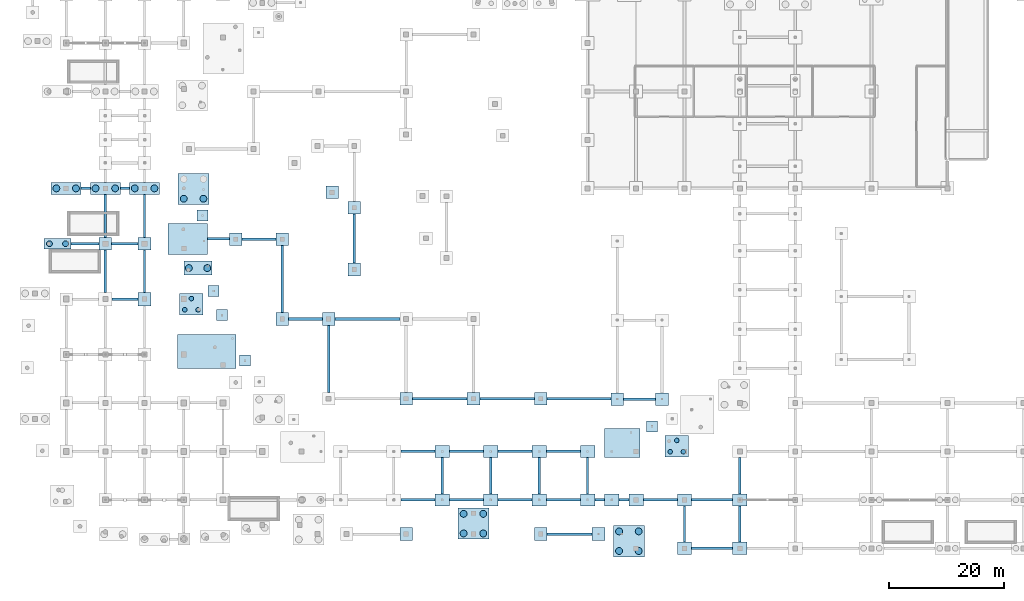
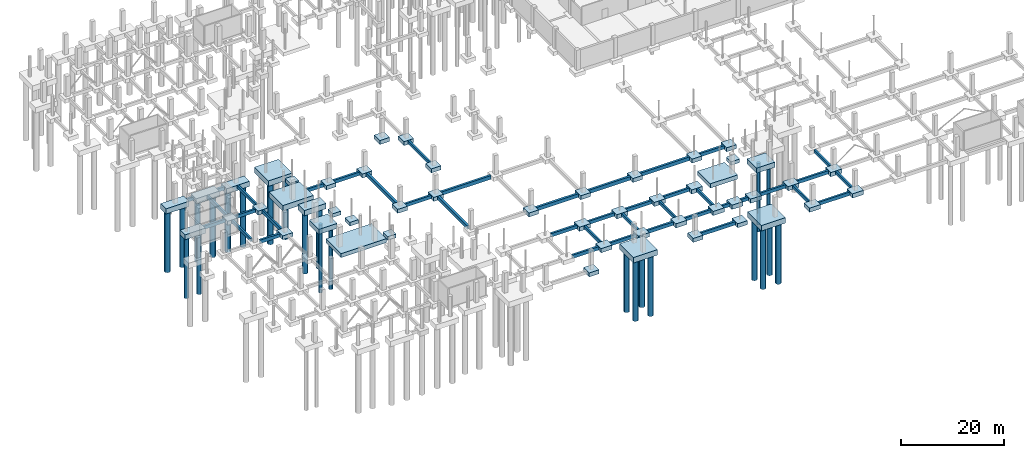
# One storey, part 2 of 44: 91 footings, 26 piles.
"""IFC4 building model written with IfcOpenShell, lengths in metres."""

from ifc_helpers import new_model, si_unit, direction, frame, origin, origin_2d, place, context, subcontext, project, spatial, rectangle, circle, extrude, material, material_profile, profile_set, type_object, element, save


model = new_model("IFC4")

# Units and contexts
model_context = context("Model", 3, precision=1e-05, world=origin(), true_north=direction((0.0, 1.0)))
body_context = subcontext(model_context, "Body", "Model", "MODEL_VIEW")
ifc_project = project(units=[si_unit("LENGTHUNIT", "METRE"), si_unit("AREAUNIT", "SQUARE_METRE"), si_unit("VOLUMEUNIT", "CUBIC_METRE"), si_unit("PLANEANGLEUNIT", "RADIAN"), si_unit("MASSUNIT", "GRAM", prefix="KILO")], contexts=[model_context])

# Site, building, storey
site_placement = place(None, origin())
site = spatial("IfcSite", under=ifc_project, at=site_placement, CompositionType="ELEMENT")
building_placement = place(site_placement, origin())
building = spatial("IfcBuilding", under=site, at=building_placement, Name="Kisaragi Civic Commons", CompositionType="ELEMENT")
storey_placement = place(building_placement, frame((0.0, 0.0, -4.800048828125)))
storey = spatial("IfcBuildingStorey", under=building, at=storey_placement, Name="B1", CompositionType="ELEMENT", Elevation=-4.800048828125)

# Footings
ifc_material_1 = material(Name="Concrete Fc27", Category="concrete")
ifc_material_profile_1 = material_profile(ifc_material_1, rectangle(XDim=0.5, YDim=0.85009765625, at=origin_2d()), Name="RC-500x850", Category="concrete")
ifc_profile_set_1 = profile_set([ifc_material_profile_1], Name="Concrete Fc27")
footing_type_1 = type_object("IfcFootingType", Name="FB-01", PredefinedType="FOOTING_BEAM", material=ifc_profile_set_1)
for number, where, z_axis, x_axis, name in (
    (1, (66.83642578125, 25.926025390625, -0.425048828125), (1.0, 0.0, 0.0), (0.0, 1.0, 0.0), "Foundation tie beam FB-01 X49"),
    (2, (78.510009765625, 25.926025390625, -0.425048828125), (1.0, 0.0, 0.0), (0.0, 1.0, 0.0), "Foundation tie beam FB-01 X50"),
):
    element("IfcFooting", number, at=place(storey_placement, frame(where, z_axis=z_axis, x_axis=x_axis)), inside=storey, type_object=footing_type_1, Name=name, PredefinedType="FOOTING_BEAM", context=body_context, shape_type="SweptSolid", body=[
        extrude(rectangle(XDim=0.5, YDim=0.85009765625, at=origin_2d()), origin(), (0.0, 0.0, 1.0), 9.4736328125),
    ])
footing_1_placement = place(storey_placement, frame((90.18359375, 25.926025390625, -0.425048828125), z_axis=(1.0, 0.0, 0.0), x_axis=(0.0, 1.0, 0.0)))
element("IfcFooting", 3, at=footing_1_placement, inside=storey, type_object=footing_type_1, Name="Foundation tie beam FB-01 X51", PredefinedType="FOOTING_BEAM", context=body_context, shape_type="SweptSolid", body=[
    extrude(rectangle(XDim=0.5, YDim=0.85009765625, at=origin_2d()), origin(), (0.0, 0.0, 1.0), 11.056884765625),
])
footing_2_placement = place(storey_placement, frame((53.4169921875, 39.75, -0.425048828125), z_axis=(1.0, 0.0, 0.0), x_axis=(0.0, 1.0, 0.0)))
element("IfcFooting", 4, at=footing_2_placement, inside=storey, type_object=footing_type_1, Name="Foundation tie beam FB-01 X60", PredefinedType="FOOTING_BEAM", context=body_context, shape_type="SweptSolid", body=[
    extrude(rectangle(XDim=0.5, YDim=0.85009765625, at=origin_2d()), origin(), (0.0, 0.0, 1.0), 11.219482421875),
])
for number, where, z_axis, x_axis, name in (
    (5, (44.25830078125, 40.85009765625, -0.425048828125), (0.0, 1.0, 0.0), (-1.0, 0.0, 0.0), "Foundation tie beam FB-01 Y207"),
    (6, (52.31689453125, 27.02587890625, -0.425048828125), (0.0, 1.0, 0.0), (-1.0, 0.0, 0.0), "Foundation tie beam FB-01 Y210"),
):
    element("IfcFooting", number, at=place(storey_placement, frame(where, z_axis=z_axis, x_axis=x_axis)), inside=storey, type_object=footing_type_1, Name=name, PredefinedType="FOOTING_BEAM", context=body_context, shape_type="SweptSolid", body=[
        extrude(rectangle(XDim=0.5, YDim=0.85009765625, at=origin_2d()), origin(), (0.0, 0.0, 1.0), 11.6240234375),
    ])
ifc_material_profile_2 = material_profile(ifc_material_1, rectangle(XDim=0.449951171875, YDim=0.800048828125, at=origin_2d()), Name="RC-450x800", Category="concrete")
ifc_profile_set_2 = profile_set([ifc_material_profile_2], Name="Concrete Fc27")
footing_type_2 = type_object("IfcFootingType", Name="FB-02", PredefinedType="FOOTING_BEAM", material=ifc_profile_set_2)
footing_3_placement = place(storey_placement, frame((115.25, 0.0, -0.39990234375), z_axis=(1.0, 0.0, 0.0), x_axis=(0.0, 1.0, 0.0)))
element("IfcFooting", 7, at=footing_3_placement, inside=storey, type_object=footing_type_2, Name="Foundation tie beam FB-02 X1", PredefinedType="FOOTING_BEAM", context=body_context, shape_type="SweptSolid", body=[
    extrude(rectangle(XDim=0.449951171875, YDim=0.800048828125, at=origin_2d()), origin(), (0.0, 0.0, 1.0), 7.10009765625),
])
footing_4_placement = place(storey_placement, frame((90.18359375, 2.467041015625, -0.39990234375), z_axis=(1.0, 0.0, 0.0), x_axis=(0.0, 1.0, 0.0)))
element("IfcFooting", 8, at=footing_4_placement, inside=storey, type_object=footing_type_2, Name="Foundation tie beam FB-02 X8", PredefinedType="FOOTING_BEAM", context=body_context, shape_type="SweptSolid", body=[
    extrude(rectangle(XDim=0.449951171875, YDim=0.800048828125, at=origin_2d()), origin(), (0.0, 0.0, 1.0), 7.81689453125),
])
for number, where, z_axis, x_axis, name in (
    (9, (64.85009765625, 8.39990234375, -0.39990234375), (1.0, 0.0, 0.0), (0.0, 1.0, 0.0), "Foundation tie beam FB-02 X15"),
    (10, (73.25, 8.39990234375, -0.39990234375), (1.0, 0.0, 0.0), (0.0, 1.0, 0.0), "Foundation tie beam FB-02 X16"),
):
    element("IfcFooting", number, at=place(storey_placement, frame(where, z_axis=z_axis, x_axis=x_axis)), inside=storey, type_object=footing_type_2, Name=name, PredefinedType="FOOTING_BEAM", context=body_context, shape_type="SweptSolid", body=[
        extrude(rectangle(XDim=0.449951171875, YDim=0.800048828125, at=origin_2d()), origin(), (0.0, 0.0, 1.0), 5.89990234375),
    ])
footing_5_placement = place(storey_placement, frame((81.64990234375, 8.39990234375, -0.39990234375), z_axis=(1.0, 0.0, 0.0), x_axis=(0.0, 1.0, 0.0)))
element("IfcFooting", 11, at=footing_5_placement, inside=storey, type_object=footing_type_2, Name="Foundation tie beam FB-02 X17", PredefinedType="FOOTING_BEAM", context=body_context, shape_type="SweptSolid", body=[
    extrude(rectangle(XDim=0.449951171875, YDim=0.800048828125, at=origin_2d()), origin(), (0.0, 0.0, 1.0), 5.900146484375),
])
footing_6_placement = place(storey_placement, frame((90.050048828125, 8.39990234375, -0.39990234375), z_axis=(1.0, 0.0, 0.0), x_axis=(0.0, 1.0, 0.0)))
element("IfcFooting", 12, at=footing_6_placement, inside=storey, type_object=footing_type_2, Name="Foundation tie beam FB-02 X18", PredefinedType="FOOTING_BEAM", context=body_context, shape_type="SweptSolid", body=[
    extrude(rectangle(XDim=0.449951171875, YDim=0.800048828125, at=origin_2d()), origin(), (0.0, 0.0, 1.0), 5.89990234375),
])
footing_7_placement = place(storey_placement, frame((98.449951171875, 8.39990234375, -0.39990234375), z_axis=(1.0, 0.0, 0.0), x_axis=(0.0, 1.0, 0.0)))
element("IfcFooting", 13, at=footing_7_placement, inside=storey, type_object=footing_type_2, Name="Foundation tie beam FB-02 X19", PredefinedType="FOOTING_BEAM", context=body_context, shape_type="SweptSolid", body=[
    extrude(rectangle(XDim=0.449951171875, YDim=0.800048828125, at=origin_2d()), origin(), (0.0, 0.0, 1.0), 1.699951171875),
])
footing_8_placement = place(storey_placement, frame((102.64990234375, 8.39990234375, -0.39990234375), z_axis=(1.0, 0.0, 0.0), x_axis=(0.0, 1.0, 0.0)))
element("IfcFooting", 14, at=footing_8_placement, inside=storey, type_object=footing_type_2, Name="Foundation tie beam FB-02 X20", PredefinedType="FOOTING_BEAM", context=body_context, shape_type="SweptSolid", body=[
    extrude(rectangle(XDim=0.449951171875, YDim=0.800048828125, at=origin_2d()), origin(), (0.0, 0.0, 1.0), 1.7001953125),
])
footing_9_placement = place(storey_placement, frame((106.85009765625, 8.39990234375, -0.39990234375), z_axis=(1.0, 0.0, 0.0), x_axis=(0.0, 1.0, 0.0)))
element("IfcFooting", 15, at=footing_9_placement, inside=storey, type_object=footing_type_2, Name="Foundation tie beam FB-02 X21", PredefinedType="FOOTING_BEAM", context=body_context, shape_type="SweptSolid", body=[
    extrude(rectangle(XDim=0.449951171875, YDim=0.800048828125, at=origin_2d()), origin(), (0.0, 0.0, 1.0), 5.89990234375),
])
footing_10_placement = place(storey_placement, frame((115.25, 8.39990234375, -0.39990234375), z_axis=(1.0, 0.0, 0.0), x_axis=(0.0, 1.0, 0.0)))
element("IfcFooting", 16, at=footing_10_placement, inside=storey, type_object=footing_type_2, Name="Foundation tie beam FB-02 X22", PredefinedType="FOOTING_BEAM", context=body_context, shape_type="SweptSolid", body=[
    extrude(rectangle(XDim=0.449951171875, YDim=0.800048828125, at=origin_2d()), origin(), (0.0, 0.0, 1.0), 7.10009765625),
])
for number, where, z_axis, x_axis, name in (
    (17, (64.85009765625, 16.800048828125, -0.39990234375), (1.0, 0.0, 0.0), (0.0, 1.0, 0.0), "Foundation tie beam FB-02 X33"),
    (18, (73.25, 16.800048828125, -0.39990234375), (1.0, 0.0, 0.0), (0.0, 1.0, 0.0), "Foundation tie beam FB-02 X34"),
):
    element("IfcFooting", number, at=place(storey_placement, frame(where, z_axis=z_axis, x_axis=x_axis)), inside=storey, type_object=footing_type_2, Name=name, PredefinedType="FOOTING_BEAM", context=body_context, shape_type="SweptSolid", body=[
        extrude(rectangle(XDim=0.449951171875, YDim=0.800048828125, at=origin_2d()), origin(), (0.0, 0.0, 1.0), 5.89990234375),
    ])
footing_11_placement = place(storey_placement, frame((81.64990234375, 16.800048828125, -0.39990234375), z_axis=(1.0, 0.0, 0.0), x_axis=(0.0, 1.0, 0.0)))
element("IfcFooting", 19, at=footing_11_placement, inside=storey, type_object=footing_type_2, Name="Foundation tie beam FB-02 X35", PredefinedType="FOOTING_BEAM", context=body_context, shape_type="SweptSolid", body=[
    extrude(rectangle(XDim=0.449951171875, YDim=0.800048828125, at=origin_2d()), origin(), (0.0, 0.0, 1.0), 5.900146484375),
])
footing_12_placement = place(storey_placement, frame((90.050048828125, 16.800048828125, -0.39990234375), z_axis=(1.0, 0.0, 0.0), x_axis=(0.0, 1.0, 0.0)))
element("IfcFooting", 20, at=footing_12_placement, inside=storey, type_object=footing_type_2, Name="Foundation tie beam FB-02 X36", PredefinedType="FOOTING_BEAM", context=body_context, shape_type="SweptSolid", body=[
    extrude(rectangle(XDim=0.449951171875, YDim=0.800048828125, at=origin_2d()), origin(), (0.0, 0.0, 1.0), 5.89990234375),
])
footing_13_placement = place(storey_placement, frame((103.4404296875, 25.85400390625, -0.39990234375), z_axis=(1.0, 0.0, 0.0), x_axis=(0.0, 1.0, 0.0)))
element("IfcFooting", 21, at=footing_13_placement, inside=storey, type_object=footing_type_2, Name="Foundation tie beam FB-02 X52", PredefinedType="FOOTING_BEAM", context=body_context, shape_type="SweptSolid", body=[
    extrude(rectangle(XDim=0.449951171875, YDim=0.800048828125, at=origin_2d()), origin(), (0.0, 0.0, 1.0), 5.569580078125),
])
footing_14_placement = place(storey_placement, frame((45.3583984375, 39.75, -0.39990234375), z_axis=(1.0, 0.0, 0.0), x_axis=(0.0, 1.0, 0.0)))
element("IfcFooting", 22, at=footing_14_placement, inside=storey, type_object=footing_type_2, Name="Foundation tie beam FB-02 X59", PredefinedType="FOOTING_BEAM", context=body_context, shape_type="SweptSolid", body=[
    extrude(rectangle(XDim=0.449951171875, YDim=0.800048828125, at=origin_2d()), origin(), (0.0, 0.0, 1.0), 5.858642578125),
])
footing_15_placement = place(storey_placement, frame((14.75, 43.199951171875, -0.39990234375), z_axis=(1.0, 0.0, 0.0), x_axis=(0.0, 1.0, 0.0)))
element("IfcFooting", 23, at=footing_15_placement, inside=storey, type_object=footing_type_2, Name="Foundation tie beam FB-02 X63", PredefinedType="FOOTING_BEAM", context=body_context, shape_type="SweptSolid", body=[
    extrude(rectangle(XDim=0.449951171875, YDim=0.800048828125, at=origin_2d()), origin(), (0.0, 0.0, 1.0), 4.5),
])
footing_16_placement = place(storey_placement, frame((7.60009765625, 52.800048828125, -0.39990234375), z_axis=(1.0, 0.0, 0.0), x_axis=(0.0, 1.0, 0.0)))
element("IfcFooting", 24, at=footing_16_placement, inside=storey, type_object=footing_type_2, Name="Foundation tie beam FB-02 X67", PredefinedType="FOOTING_BEAM", context=body_context, shape_type="SweptSolid", body=[
    extrude(rectangle(XDim=0.449951171875, YDim=0.800048828125, at=origin_2d()), origin(), (0.0, 0.0, 1.0), 4.89990234375),
])
footing_17_placement = place(storey_placement, frame((14.699951171875, 52.800048828125, -0.39990234375), z_axis=(1.0, 0.0, 0.0), x_axis=(0.0, 1.0, 0.0)))
element("IfcFooting", 25, at=footing_17_placement, inside=storey, type_object=footing_type_2, Name="Foundation tie beam FB-02 X68", PredefinedType="FOOTING_BEAM", context=body_context, shape_type="SweptSolid", body=[
    extrude(rectangle(XDim=0.449951171875, YDim=0.800048828125, at=origin_2d()), origin(), (0.0, 0.0, 1.0), 4.60009765625),
])
footing_18_placement = place(storey_placement, frame((31.333984375, 53.6396484375, -0.39990234375), z_axis=(1.0, 0.0, 0.0), x_axis=(0.0, 1.0, 0.0)))
element("IfcFooting", 26, at=footing_18_placement, inside=storey, type_object=footing_type_2, Name="Foundation tie beam FB-02 X69", PredefinedType="FOOTING_BEAM", context=body_context, shape_type="SweptSolid", body=[
    extrude(rectangle(XDim=0.449951171875, YDim=0.800048828125, at=origin_2d()), origin(), (0.0, 0.0, 1.0), 3.765625),
])
footing_19_placement = place(storey_placement, frame((37.299560546875, 53.573974609375, -0.39990234375), z_axis=(1.0, 0.0, 0.0), x_axis=(0.0, 1.0, 0.0)))
element("IfcFooting", 27, at=footing_19_placement, inside=storey, type_object=footing_type_2, Name="Foundation tie beam FB-02 X70", PredefinedType="FOOTING_BEAM", context=body_context, shape_type="SweptSolid", body=[
    extrude(rectangle(XDim=0.449951171875, YDim=0.800048828125, at=origin_2d()), origin(), (0.0, 0.0, 1.0), 5.858642578125),
])
for number, where, z_axis, x_axis, name in (
    (28, (9.39990234375, 62.39990234375, -0.39990234375), (1.0, 0.0, 0.0), (0.0, 1.0, 0.0), "Foundation tie beam FB-02 X72"),
    (29, (16.199951171875, 62.39990234375, -0.39990234375), (1.0, 0.0, 0.0), (0.0, 1.0, 0.0), "Foundation tie beam FB-02 X73"),
):
    element("IfcFooting", number, at=place(storey_placement, frame(where, z_axis=z_axis, x_axis=x_axis)), inside=storey, type_object=footing_type_2, Name=name, PredefinedType="FOOTING_BEAM", context=body_context, shape_type="SweptSolid", body=[
        extrude(rectangle(XDim=0.449951171875, YDim=0.800048828125, at=origin_2d()), origin(), (0.0, 0.0, 1.0), 1.60009765625),
    ])
ifc_material_profile_3 = material_profile(ifc_material_1, rectangle(XDim=0.39990234375, YDim=0.75, at=origin_2d()), Name="RC-400x750", Category="concrete")
ifc_profile_set_3 = profile_set([ifc_material_profile_3], Name="Concrete Fc27")
footing_type_3 = type_object("IfcFootingType", Name="FB-03", PredefinedType="FOOTING_BEAM", material=ifc_profile_set_3)
footing_20_placement = place(storey_placement, frame((13.60009765625, 44.35009765625, -0.375), z_axis=(0.0, 1.0, 0.0), x_axis=(-1.0, 0.0, 0.0)))
element("IfcFooting", 30, at=footing_20_placement, inside=storey, type_object=footing_type_3, Name="Foundation tie beam FB-03 Y165", PredefinedType="FOOTING_BEAM", context=body_context, shape_type="SweptSolid", body=[
    extrude(rectangle(XDim=0.39990234375, YDim=0.75, at=origin_2d()), origin(), (0.0, 0.0, 1.0), 7.349853515625),
])
footing_21_placement = place(storey_placement, frame((13.60009765625, 53.89990234375, -0.375), z_axis=(0.0, 1.0, 0.0), x_axis=(-1.0, 0.0, 0.0)))
element("IfcFooting", 31, at=footing_21_placement, inside=storey, type_object=footing_type_3, Name="Foundation tie beam FB-03 Y166", PredefinedType="FOOTING_BEAM", context=body_context, shape_type="SweptSolid", body=[
    extrude(rectangle(XDim=0.39990234375, YDim=0.75, at=origin_2d()), origin(), (0.0, 0.0, 1.0), 7.4501953125),
])
footing_22_placement = place(storey_placement, frame((20.39990234375, 44.35009765625, -0.375), z_axis=(0.0, 1.0, 0.0), x_axis=(-1.0, 0.0, 0.0)))
element("IfcFooting", 32, at=footing_22_placement, inside=storey, type_object=footing_type_3, Name="Foundation tie beam FB-03 Y180", PredefinedType="FOOTING_BEAM", context=body_context, shape_type="SweptSolid", body=[
    extrude(rectangle(XDim=0.39990234375, YDim=0.75, at=origin_2d()), origin(), (0.0, 0.0, 1.0), 7.349853515625),
])
footing_23_placement = place(storey_placement, frame((20.39990234375, 53.89990234375, -0.375), z_axis=(0.0, 1.0, 0.0), x_axis=(-1.0, 0.0, 0.0)))
element("IfcFooting", 33, at=footing_23_placement, inside=storey, type_object=footing_type_3, Name="Foundation tie beam FB-03 Y181", PredefinedType="FOOTING_BEAM", context=body_context, shape_type="SweptSolid", body=[
    extrude(rectangle(XDim=0.39990234375, YDim=0.75, at=origin_2d()), origin(), (0.0, 0.0, 1.0), 7.4501953125),
])
footing_24_placement = place(storey_placement, frame((56.754150390625, 49.446044921875, -0.375), z_axis=(0.0, 1.0, 0.0), x_axis=(-1.0, 0.0, 0.0)))
element("IfcFooting", 34, at=footing_24_placement, inside=storey, type_object=footing_type_3, Name="Foundation tie beam FB-03 Y212", PredefinedType="FOOTING_BEAM", context=body_context, shape_type="SweptSolid", body=[
    extrude(rectangle(XDim=0.39990234375, YDim=0.75, at=origin_2d()), origin(), (0.0, 0.0, 1.0), 8.495849609375),
])
for number, where, z_axis, x_axis, name in (
    (35, (72.0, 9.449951171875, -0.375), (0.0, 1.0, 0.0), (-1.0, 0.0, 0.0), "Foundation tie beam FB-03 Y221"),
    (36, (80.39990234375, 9.449951171875, -0.375), (0.0, 1.0, 0.0), (-1.0, 0.0, 0.0), "Foundation tie beam FB-03 Y227"),
    (37, (88.800048828125, 9.449951171875, -0.375), (0.0, 1.0, 0.0), (-1.0, 0.0, 0.0), "Foundation tie beam FB-03 Y230"),
    (38, (97.199951171875, 9.449951171875, -0.375), (0.0, 1.0, 0.0), (-1.0, 0.0, 0.0), "Foundation tie beam FB-03 Y233"),
    (39, (114.0, 1.050048828125, -0.375), (0.0, 1.0, 0.0), (-1.0, 0.0, 0.0), "Foundation tie beam FB-03 Y247"),
    (40, (123.60009765625, 1.050048828125, -0.375), (0.0, 1.0, 0.0), (-1.0, 0.0, 0.0), "Foundation tie beam FB-03 Y253"),
    (41, (123.60009765625, 9.449951171875, -0.375), (0.0, 1.0, 0.0), (-1.0, 0.0, 0.0), "Foundation tie beam FB-03 Y254"),
):
    element("IfcFooting", number, at=place(storey_placement, frame(where, z_axis=z_axis, x_axis=x_axis)), inside=storey, type_object=footing_type_3, Name=name, PredefinedType="FOOTING_BEAM", context=body_context, shape_type="SweptSolid", body=[
        extrude(rectangle(XDim=0.39990234375, YDim=0.75, at=origin_2d()), origin(), (0.0, 0.0, 1.0), 6.300048828125),
    ])

# Piles
ifc_material_profile_4 = material_profile(ifc_material_1, circle(Radius=0.39990234375, at=origin_2d()), Name="PILE-D800", Category="concrete")
ifc_profile_set_4 = profile_set([ifc_material_profile_4], Name="Concrete Fc27")
pile_type_1 = type_object("IfcPileType", Name="P-08", PredefinedType="BORED", material=ifc_profile_set_4)
for number, where, z_axis, x_axis, name in (
    (42, (27.365234375, 41.34814453125, -1.099853515625), (0.0, 0.0, -1.0), (1.0, 0.0, 0.0), "Bored pile P-08 63.1"),
    (43, (29.665283203125, 41.34814453125, -1.099853515625), (0.0, 0.0, -1.0), (1.0, 0.0, 0.0), "Bored pile P-08 63.2"),
    (44, (28.515380859375, 43.298095703125, -1.099853515625), (0.0, 0.0, -1.0), (1.0, 0.0, 0.0), "Bored pile P-08 63.3"),
    (45, (111.510498046875, 16.741455078125, -1.099853515625), (0.0, 0.0, -1.0), (1.0, 0.0, 0.0), "Bored pile P-08 197.1"),
    (46, (113.810546875, 16.741455078125, -1.099853515625), (0.0, 0.0, -1.0), (1.0, 0.0, 0.0), "Bored pile P-08 197.2"),
    (47, (112.66064453125, 18.69140625, -1.099853515625), (0.0, 0.0, -1.0), (1.0, 0.0, 0.0), "Bored pile P-08 197.3"),
):
    element("IfcPile", number, at=place(storey_placement, frame(where, z_axis=z_axis, x_axis=x_axis)), inside=storey, type_object=pile_type_1, Name=name, PredefinedType="BORED", context=body_context, shape_type="SweptSolid", body=[
        extrude(circle(Radius=0.39990234375, at=origin_2d()), origin(), (0.0, 0.0, 1.0), 14.60009765625),
    ])
ifc_material_profile_5 = material_profile(ifc_material_1, circle(Radius=0.5, at=origin_2d()), Name="PILE-D1000", Category="concrete")
ifc_profile_set_5 = profile_set([ifc_material_profile_5], Name="Concrete Fc27")
pile_type_2 = type_object("IfcPileType", Name="P-10", PredefinedType="BORED", material=ifc_profile_set_5)
for number, where, z_axis, x_axis, name in (
    (48, (3.89990234375, 52.800048828125, -1.099853515625), (0.0, 0.0, -1.0), (1.0, 0.0, 0.0), "Bored pile P-10 10.1"),
    (49, (6.699951171875, 52.800048828125, -1.099853515625), (0.0, 0.0, -1.0), (1.0, 0.0, 0.0), "Bored pile P-10 10.2"),
):
    element("IfcPile", number, at=place(storey_placement, frame(where, z_axis=z_axis, x_axis=x_axis)), inside=storey, type_object=pile_type_2, Name=name, PredefinedType="BORED", context=body_context, shape_type="SweptSolid", body=[
        extrude(circle(Radius=0.5, at=origin_2d()), origin(), (0.0, 0.0, 1.0), 14.60009765625),
    ])
ifc_material_profile_6 = material_profile(ifc_material_1, circle(Radius=0.60009765625, at=origin_2d()), Name="PILE-D1200", Category="concrete")
ifc_profile_set_6 = profile_set([ifc_material_profile_6], Name="Concrete Fc27")
pile_type_3 = type_object("IfcPileType", Name="P-12", PredefinedType="BORED", material=ifc_profile_set_6)
for number, where, z_axis, x_axis, name in (
    (50, (5.10009765625, 62.39990234375, -1.099853515625), (0.0, 0.0, -1.0), (1.0, 0.0, 0.0), "Bored pile P-12 18.1"),
    (51, (8.5, 62.39990234375, -1.099853515625), (0.0, 0.0, -1.0), (1.0, 0.0, 0.0), "Bored pile P-12 18.2"),
    (52, (11.89990234375, 62.39990234375, -1.099853515625), (0.0, 0.0, -1.0), (1.0, 0.0, 0.0), "Bored pile P-12 30.1"),
    (53, (15.300048828125, 62.39990234375, -1.099853515625), (0.0, 0.0, -1.0), (1.0, 0.0, 0.0), "Bored pile P-12 30.2"),
    (54, (18.699951171875, 62.39990234375, -1.099853515625), (0.0, 0.0, -1.0), (1.0, 0.0, 0.0), "Bored pile P-12 47.1"),
    (55, (22.10009765625, 62.39990234375, -1.099853515625), (0.0, 0.0, -1.0), (1.0, 0.0, 0.0), "Bored pile P-12 47.2"),
    (56, (27.197265625, 60.60205078125, -1.099853515625), (0.0, 0.0, -1.0), (1.0, 0.0, 0.0), "Bored pile P-12 64.1"),
    (57, (30.59716796875, 60.60205078125, -1.099853515625), (0.0, 0.0, -1.0), (1.0, 0.0, 0.0), "Bored pile P-12 64.2"),
    (58, (28.065185546875, 48.581298828125, -1.099853515625), (0.0, 0.0, -1.0), (1.0, 0.0, 0.0), "Bored pile P-12 71.1"),
    (59, (31.265380859375, 48.581298828125, -1.099853515625), (0.0, 0.0, -1.0), (1.0, 0.0, 0.0), "Bored pile P-12 71.2"),
    (60, (75.7099609375, 2.574951171875, -1.099853515625), (0.0, 0.0, -1.0), (1.0, 0.0, 0.0), "Bored pile P-12 148.1"),
    (61, (79.110107421875, 2.574951171875, -1.099853515625), (0.0, 0.0, -1.0), (1.0, 0.0, 0.0), "Bored pile P-12 148.2"),
    (62, (75.7099609375, 5.97509765625, -1.099853515625), (0.0, 0.0, -1.0), (1.0, 0.0, 0.0), "Bored pile P-12 148.3"),
    (63, (79.110107421875, 5.97509765625, -1.099853515625), (0.0, 0.0, -1.0), (1.0, 0.0, 0.0), "Bored pile P-12 148.4"),
    (64, (102.659912109375, -0.466552734375, -1.099853515625), (0.0, 0.0, -1.0), (1.0, 0.0, 0.0), "Bored pile P-12 185.1"),
    (65, (106.059814453125, -0.466552734375, -1.099853515625), (0.0, 0.0, -1.0), (1.0, 0.0, 0.0), "Bored pile P-12 185.2"),
    (66, (102.659912109375, 2.93359375, -1.099853515625), (0.0, 0.0, -1.0), (1.0, 0.0, 0.0), "Bored pile P-12 185.3"),
    (67, (106.059814453125, 2.93359375, -1.099853515625), (0.0, 0.0, -1.0), (1.0, 0.0, 0.0), "Bored pile P-12 185.4"),
):
    element("IfcPile", number, at=place(storey_placement, frame(where, z_axis=z_axis, x_axis=x_axis)), inside=storey, type_object=pile_type_3, Name=name, PredefinedType="BORED", context=body_context, shape_type="SweptSolid", body=[
        extrude(circle(Radius=0.60009765625, at=origin_2d()), origin(), (0.0, 0.0, 1.0), 14.60009765625),
    ])

# Footings
ifc_material_2 = material(Name="Concrete Fc36", Category="concrete")
footing_type_4 = type_object("IfcFootingType", Name="PC-2C", PredefinedType="PILE_CAP", material=ifc_material_2)
footing_25_placement = place(storey_placement, frame((5.300048828125, 52.800048828125, -1.19970703125), z_axis=(0.0, 0.0, 1.0), x_axis=(1.0, 0.0, 0.0)))
element("IfcFooting", 68, at=footing_25_placement, inside=storey, type_object=footing_type_4, Name="Pile cap PC-2C 10", PredefinedType="PILE_CAP", context=body_context, shape_type="SweptSolid", body=[
    extrude(rectangle(XDim=4.60009765625, YDim=1.89990234375, at=origin_2d()), origin(), (0.0, 0.0, 1.0), 1.199951171875),
])
footing_type_5 = type_object("IfcFootingType", Name="PC-2D", PredefinedType="PILE_CAP", material=ifc_material_2)
for number, where, z_axis, x_axis, name in (
    (69, (6.800048828125, 62.39990234375, -1.25), (0.0, 0.0, 1.0), (1.0, 0.0, 0.0), "Pile cap PC-2D 18"),
    (70, (13.60009765625, 62.39990234375, -1.25), (0.0, 0.0, 1.0), (1.0, 0.0, 0.0), "Pile cap PC-2D 30"),
    (71, (20.39990234375, 62.39990234375, -1.25), (0.0, 0.0, 1.0), (1.0, 0.0, 0.0), "Pile cap PC-2D 47"),
):
    element("IfcFooting", number, at=place(storey_placement, frame(where, z_axis=z_axis, x_axis=x_axis)), inside=storey, type_object=footing_type_5, Name=name, PredefinedType="PILE_CAP", context=body_context, shape_type="SweptSolid", body=[
        extrude(rectangle(XDim=5.199951171875, YDim=2.10009765625, at=origin_2d()), origin(), (0.0, 0.0, 1.0), 1.25),
    ])
footing_type_6 = type_object("IfcFootingType", Name="PC-3A", PredefinedType="PILE_CAP", material=ifc_material_2)
for number, where, z_axis, x_axis, name in (
    (72, (28.515380859375, 42.298095703125, -1.19970703125), (0.0, 0.0, 1.0), (1.0, 0.0, 0.0), "Pile cap PC-3A 63"),
    (73, (112.66064453125, 17.69140625, -1.19970703125), (0.0, 0.0, 1.0), (1.0, 0.0, 0.0), "Pile cap PC-3A 197"),
):
    element("IfcFooting", number, at=place(storey_placement, frame(where, z_axis=z_axis, x_axis=x_axis)), inside=storey, type_object=footing_type_6, Name=name, PredefinedType="PILE_CAP", context=body_context, shape_type="SweptSolid", body=[
        extrude(rectangle(XDim=4.10009765625, YDim=3.699951171875, at=origin_2d()), origin(), (0.0, 0.0, 1.0), 1.199951171875),
    ])
footing_type_7 = type_object("IfcFootingType", Name="PC-4B", PredefinedType="PILE_CAP", material=ifc_material_2)
footing_26_placement = place(storey_placement, frame((29.665283203125, 48.581298828125, -1.25), z_axis=(0.0, 0.0, 1.0), x_axis=(1.0, 0.0, 0.0)))
element("IfcFooting", 74, at=footing_26_placement, inside=storey, type_object=footing_type_7, Name="Pile cap PC-4B 71", PredefinedType="PILE_CAP", context=body_context, shape_type="SweptSolid", body=[
    extrude(rectangle(XDim=4.89990234375, YDim=2.39990234375, at=origin_2d()), origin(), (0.0, 0.0, 1.0), 1.25),
])
footing_type_8 = type_object("IfcFootingType", Name="PC-4C", PredefinedType="PILE_CAP", material=ifc_material_2)
for number, where, z_axis, x_axis, name in (
    (75, (28.897216796875, 62.302001953125, -1.2998046875), (0.0, 0.0, 1.0), (1.0, 0.0, 0.0), "Pile cap PC-4C 64"),
    (76, (77.409912109375, 4.27490234375, -1.2998046875), (0.0, 0.0, 1.0), (1.0, 0.0, 0.0), "Pile cap PC-4C 148"),
    (77, (104.35986328125, 1.2333984375, -1.2998046875), (0.0, 0.0, 1.0), (1.0, 0.0, 0.0), "Pile cap PC-4C 185"),
):
    element("IfcFooting", number, at=place(storey_placement, frame(where, z_axis=z_axis, x_axis=x_axis)), inside=storey, type_object=footing_type_8, Name=name, PredefinedType="PILE_CAP", context=body_context, shape_type="SweptSolid", body=[
        extrude(rectangle(XDim=5.39990234375, YDim=5.39990234375, at=origin_2d()), origin(), (0.0, 0.0, 1.0), 1.300048828125),
    ])
footing_type_9 = type_object("IfcFootingType", Name="PF-01", PredefinedType="PAD_FOOTING", material=ifc_material_2)
for number, where, z_axis, x_axis, name in (
    (78, (30.434814453125, 57.703857421875, -0.85009765625), (0.0, 0.0, 1.0), (1.0, 0.0, 0.0), "Pad footing PF-01 73"),
    (79, (32.379150390625, 44.6064453125, -0.85009765625), (0.0, 0.0, 1.0), (1.0, 0.0, 0.0), "Pad footing PF-01 76"),
    (80, (33.8115234375, 40.4189453125, -0.85009765625), (0.0, 0.0, 1.0), (1.0, 0.0, 0.0), "Pad footing PF-01 77"),
    (81, (37.7861328125, 32.52001953125, -0.85009765625), (0.0, 0.0, 1.0), (1.0, 0.0, 0.0), "Pad footing PF-01 87"),
    (82, (108.363525390625, 21.1416015625, -0.85009765625), (0.0, 0.0, 1.0), (1.0, 0.0, 0.0), "Pad footing PF-01 193"),
):
    element("IfcFooting", number, at=place(storey_placement, frame(where, z_axis=z_axis, x_axis=x_axis)), inside=storey, type_object=footing_type_9, Name=name, PredefinedType="PAD_FOOTING", context=body_context, shape_type="SweptSolid", body=[
        extrude(rectangle(XDim=1.89990234375, YDim=1.89990234375, at=origin_2d()), origin(), (0.0, 0.0, 1.0), 0.85009765625),
    ])
footing_type_10 = type_object("IfcFootingType", Name="PF-02", PredefinedType="PAD_FOOTING", material=ifc_material_2)
for number, where, z_axis, x_axis, name in (
    (83, (13.60009765625, 52.800048828125, -0.94970703125), (0.0, 0.0, 1.0), (1.0, 0.0, 0.0), "Pad footing PF-02 29"),
    (84, (20.39990234375, 52.800048828125, -0.94970703125), (0.0, 0.0, 1.0), (1.0, 0.0, 0.0), "Pad footing PF-02 46"),
    (85, (36.19970703125, 53.573974609375, -0.94970703125), (0.0, 0.0, 1.0), (1.0, 0.0, 0.0), "Pad footing PF-02 86"),
    (86, (44.25830078125, 39.75, -0.94970703125), (0.0, 0.0, 1.0), (1.0, 0.0, 0.0), "Pad footing PF-02 100"),
    (87, (44.25830078125, 53.573974609375, -0.94970703125), (0.0, 0.0, 1.0), (1.0, 0.0, 0.0), "Pad footing PF-02 101"),
    (88, (52.31689453125, 39.75, -0.94970703125), (0.0, 0.0, 1.0), (1.0, 0.0, 0.0), "Pad footing PF-02 115"),
    (89, (52.913818359375, 61.704345703125, -0.94970703125), (0.0, 0.0, 1.0), (1.0, 0.0, 0.0), "Pad footing PF-02 116"),
    (90, (56.754150390625, 48.34619140625, -0.94970703125), (0.0, 0.0, 1.0), (1.0, 0.0, 0.0), "Pad footing PF-02 121"),
    (91, (56.754150390625, 59.0419921875, -0.94970703125), (0.0, 0.0, 1.0), (1.0, 0.0, 0.0), "Pad footing PF-02 122"),
    (92, (65.736328125, 2.467041015625, -0.94970703125), (0.0, 0.0, 1.0), (1.0, 0.0, 0.0), "Pad footing PF-02 131"),
    (93, (65.736328125, 25.926025390625, -0.94970703125), (0.0, 0.0, 1.0), (1.0, 0.0, 0.0), "Pad footing PF-02 132"),
    (94, (77.409912109375, 25.926025390625, -0.94970703125), (0.0, 0.0, 1.0), (1.0, 0.0, 0.0), "Pad footing PF-02 149"),
    (95, (89.08349609375, 2.467041015625, -0.94970703125), (0.0, 0.0, 1.0), (1.0, 0.0, 0.0), "Pad footing PF-02 167"),
    (96, (89.08349609375, 25.926025390625, -0.94970703125), (0.0, 0.0, 1.0), (1.0, 0.0, 0.0), "Pad footing PF-02 168"),
    (97, (99.100341796875, 2.467041015625, -0.94970703125), (0.0, 0.0, 1.0), (1.0, 0.0, 0.0), "Pad footing PF-02 179"),
    (98, (102.34033203125, 25.85400390625, -0.94970703125), (0.0, 0.0, 1.0), (1.0, 0.0, 0.0), "Pad footing PF-02 182"),
    (99, (110.110107421875, 25.85400390625, -0.94970703125), (0.0, 0.0, 1.0), (1.0, 0.0, 0.0), "Pad footing PF-02 195"),
):
    element("IfcFooting", number, at=place(storey_placement, frame(where, z_axis=z_axis, x_axis=x_axis)), inside=storey, type_object=footing_type_10, Name=name, PredefinedType="PAD_FOOTING", context=body_context, shape_type="SweptSolid", body=[
        extrude(rectangle(XDim=2.199951171875, YDim=2.199951171875, at=origin_2d()), origin(), (0.0, 0.0, 1.0), 0.949951171875),
    ])
footing_type_11 = type_object("IfcFootingType", Name="PF-03", PredefinedType="PAD_FOOTING", material=ifc_material_2)
for number, where, z_axis, x_axis, name in (
    (100, (72.0, 8.39990234375, -1.0), (0.0, 0.0, 1.0), (1.0, 0.0, 0.0), "Pad footing PF-03 140"),
    (101, (72.0, 16.800048828125, -1.0), (0.0, 0.0, 1.0), (1.0, 0.0, 0.0), "Pad footing PF-03 141"),
    (102, (80.39990234375, 8.39990234375, -1.0), (0.0, 0.0, 1.0), (1.0, 0.0, 0.0), "Pad footing PF-03 153"),
    (103, (80.39990234375, 16.800048828125, -1.0), (0.0, 0.0, 1.0), (1.0, 0.0, 0.0), "Pad footing PF-03 154"),
    (104, (88.800048828125, 8.39990234375, -1.0), (0.0, 0.0, 1.0), (1.0, 0.0, 0.0), "Pad footing PF-03 161"),
    (105, (88.800048828125, 16.800048828125, -1.0), (0.0, 0.0, 1.0), (1.0, 0.0, 0.0), "Pad footing PF-03 162"),
    (106, (97.199951171875, 8.39990234375, -1.0), (0.0, 0.0, 1.0), (1.0, 0.0, 0.0), "Pad footing PF-03 169"),
    (107, (97.199951171875, 16.800048828125, -1.0), (0.0, 0.0, 1.0), (1.0, 0.0, 0.0), "Pad footing PF-03 170"),
    (108, (101.39990234375, 8.39990234375, -1.0), (0.0, 0.0, 1.0), (1.0, 0.0, 0.0), "Pad footing PF-03 180"),
    (109, (105.60009765625, 8.39990234375, -1.0), (0.0, 0.0, 1.0), (1.0, 0.0, 0.0), "Pad footing PF-03 187"),
    (110, (114.0, 0.0, -1.0), (0.0, 0.0, 1.0), (1.0, 0.0, 0.0), "Pad footing PF-03 199"),
    (111, (114.0, 8.39990234375, -1.0), (0.0, 0.0, 1.0), (1.0, 0.0, 0.0), "Pad footing PF-03 200"),
    (112, (123.60009765625, 0.0, -1.0), (0.0, 0.0, 1.0), (1.0, 0.0, 0.0), "Pad footing PF-03 209"),
    (113, (123.60009765625, 8.39990234375, -1.0), (0.0, 0.0, 1.0), (1.0, 0.0, 0.0), "Pad footing PF-03 210"),
):
    element("IfcFooting", number, at=place(storey_placement, frame(where, z_axis=z_axis, x_axis=x_axis)), inside=storey, type_object=footing_type_11, Name=name, PredefinedType="PAD_FOOTING", context=body_context, shape_type="SweptSolid", body=[
        extrude(rectangle(XDim=2.5, YDim=2.10009765625, at=origin_2d()), origin(), (0.0, 0.0, 1.0), 1.0),
    ])
footing_type_12 = type_object("IfcFootingType", Name="PF-04", PredefinedType="PAD_FOOTING", material=ifc_material_2)
footing_27_placement = place(storey_placement, frame((20.39990234375, 43.199951171875, -0.89990234375), z_axis=(0.0, 0.0, 1.0), x_axis=(1.0, 0.0, 0.0)))
element("IfcFooting", 114, at=footing_27_placement, inside=storey, type_object=footing_type_12, Name="Pad footing PF-04 45", PredefinedType="PAD_FOOTING", context=body_context, shape_type="SweptSolid", body=[
    extrude(rectangle(XDim=2.300048828125, YDim=2.300048828125, at=origin_2d()), origin(), (0.0, 0.0, 1.0), 0.89990234375),
])
footing_type_13 = type_object("IfcFootingType", Name="PF-M01", PredefinedType="PAD_FOOTING", material=ifc_material_2)
footing_28_placement = place(storey_placement, frame((27.8955078125, 53.6396484375, -1.2998046875), z_axis=(0.0, 0.0, 1.0), x_axis=(1.0, 0.0, 0.0)))
element("IfcFooting", 115, at=footing_28_placement, inside=storey, type_object=footing_type_13, Name="Pad footing PF-M01 57", PredefinedType="PAD_FOOTING", context=body_context, shape_type="SweptSolid", body=[
    extrude(rectangle(XDim=6.876953125, YDim=5.39990234375, at=origin_2d()), origin(), (0.0, 0.0, 1.0), 1.300048828125),
])
footing_type_14 = type_object("IfcFootingType", Name="PF-M02", PredefinedType="PAD_FOOTING", material=ifc_material_2)
footing_29_placement = place(storey_placement, frame((31.184326171875, 34.09521484375, -0.94970703125), z_axis=(0.0, 0.0, 1.0), x_axis=(1.0, 0.0, 0.0)))
element("IfcFooting", 116, at=footing_29_placement, inside=storey, type_object=footing_type_14, Name="Pad footing PF-M02 62", PredefinedType="PAD_FOOTING", context=body_context, shape_type="SweptSolid", body=[
    extrude(rectangle(XDim=10.1689453125, YDim=5.866943359375, at=origin_2d()), origin(), (0.0, 0.0, 1.0), 0.949951171875),
])
footing_type_15 = type_object("IfcFootingType", Name="PF-M06", PredefinedType="PAD_FOOTING", material=ifc_material_2)
footing_30_placement = place(storey_placement, frame((103.199951171875, 18.2412109375, -1.0), z_axis=(0.0, 0.0, 1.0), x_axis=(1.0, 0.0, 0.0)))
element("IfcFooting", 117, at=footing_30_placement, inside=storey, type_object=footing_type_15, Name="Pad footing PF-M06 181", PredefinedType="PAD_FOOTING", context=body_context, shape_type="SweptSolid", body=[
    extrude(rectangle(XDim=6.10009765625, YDim=4.98193359375, at=origin_2d()), origin(), (0.0, 0.0, 1.0), 1.0),
])

save(model, "model.ifc")
